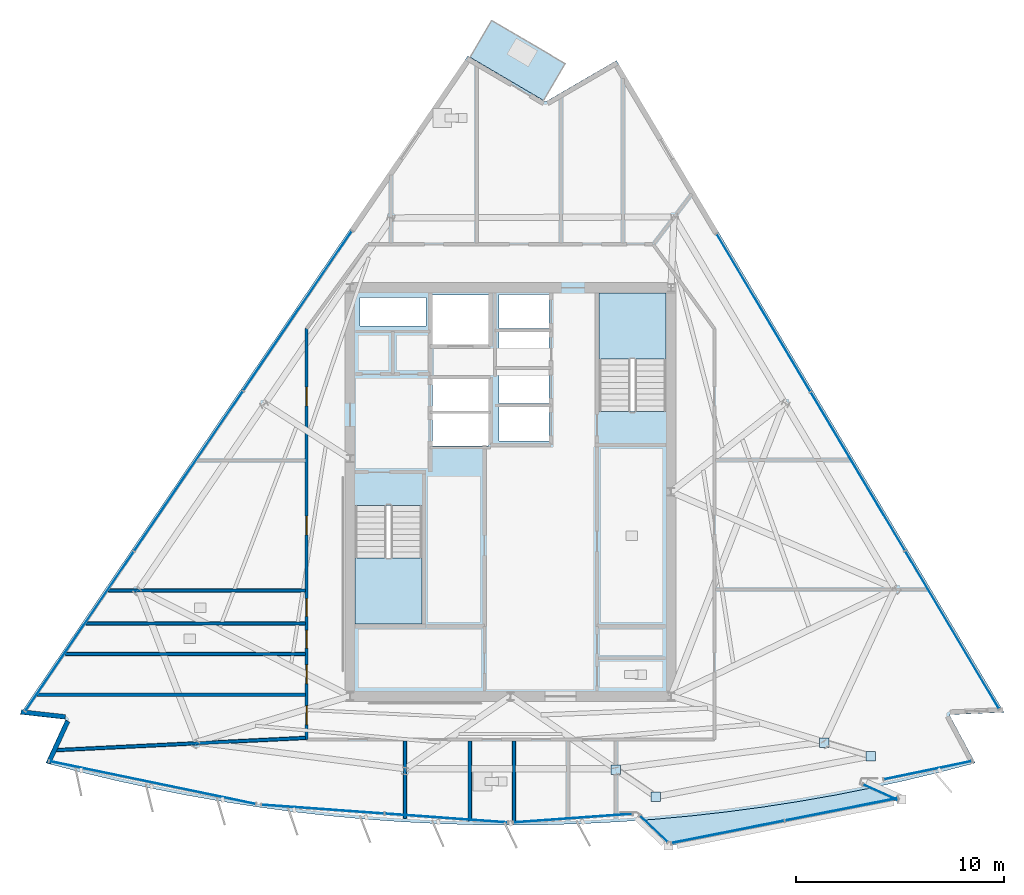
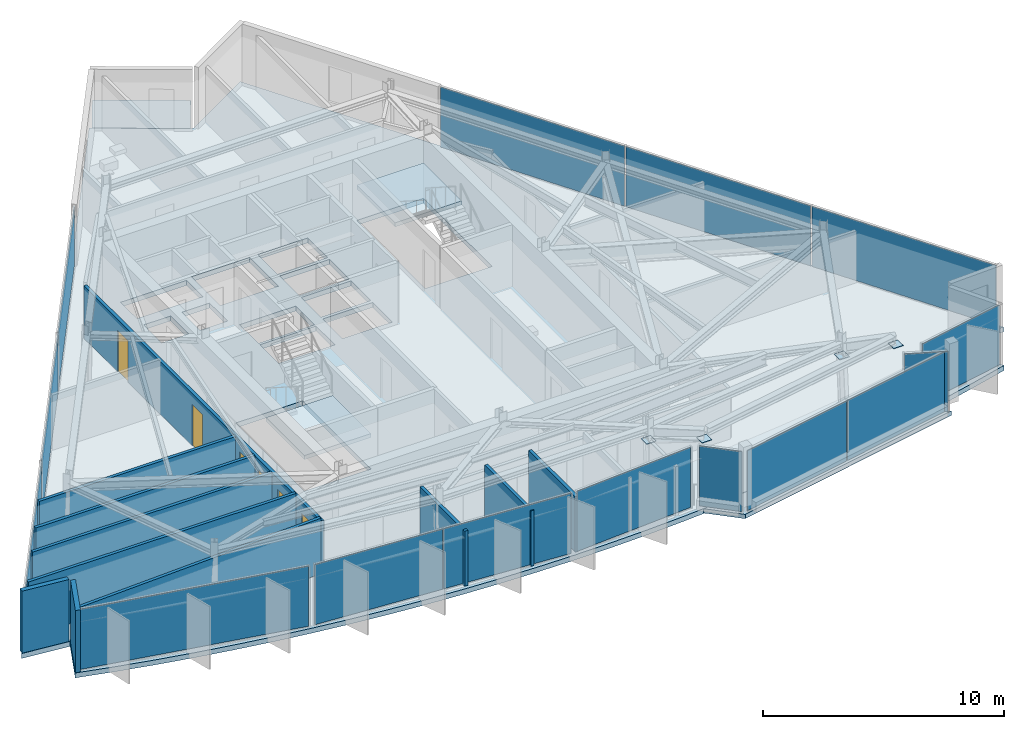
# One storey, part 6 of 13: 19 plates, 11 walls, 6 doors, 5 slabs, 6 openings, 11 elements without a shape of their own.
"""IFC4 building model written with IfcOpenShell, lengths in metres."""

from ifc_helpers import new_model, si_unit, direction, frame, frame_2d, origin, origin_2d, place, context, subcontext, project, spatial, polyline, rectangle, outline, extrude, material, layer, layer_set, type_object, element, fill, aggregate, save


model = new_model("IFC4")

# Units and contexts
model_context = context("Model", 3, precision=1e-05, world=origin(), true_north=direction((0.0, 1.0)))
body_context = subcontext(model_context, "Body", "Model", "MODEL_VIEW")
ifc_project = project(units=[si_unit("LENGTHUNIT", "METRE"), si_unit("AREAUNIT", "SQUARE_METRE"), si_unit("VOLUMEUNIT", "CUBIC_METRE"), si_unit("PLANEANGLEUNIT", "RADIAN"), si_unit("MASSUNIT", "GRAM", prefix="KILO")], contexts=[model_context])

# Site, building, storey
site_placement = place(None, origin())
site = spatial("IfcSite", under=ifc_project, at=site_placement, CompositionType="ELEMENT")
building_placement = place(site_placement, origin())
building = spatial("IfcBuilding", under=site, at=building_placement, Name="Savorim Split Tower", CompositionType="ELEMENT")
storey_placement = place(building_placement, frame((0.0, 0.0, 290.39990234375)))
storey = spatial("IfcBuildingStorey", under=building, at=storey_placement, Name="L77", CompositionType="ELEMENT", Elevation=290.39990234375)

# Curtain wall, plate
ifc_material_1 = material(Name="Dark Ceramic-Fritted Insulated Glass", Category="glass")
curtain_wall_type_1 = type_object("IfcCurtainWallType", Name="CW-TWR-FRIT-B", PredefinedType="NOTDEFINED", material=ifc_material_1)
curtain_wall_1_placement = place(storey_placement, origin())
curtain_wall_1 = element("IfcCurtainWall", 1, at=curtain_wall_1_placement, inside=storey, type_object=curtain_wall_type_1, Name="L77 Curtain Wall CW-L77-SF1A", PredefinedType="NOTDEFINED")
ifc_layer_1 = layer(ifc_material_1, 0.02587890625)
ifc_layer_set_1 = layer_set([ifc_layer_1], Name="CWP-FRITB-26")
plate_type_1 = type_object("IfcPlateType", Name="CWP-FRITB-26", PredefinedType="CURTAIN_PANEL", material=ifc_layer_set_1)
plate_1_placement = place(storey_placement, frame((-17.175537109375, -13.545654296875, 0.05029296875), z_axis=(0.0, 0.0, 1.0), x_axis=(0.979134131762, -0.203215038861, 0.0)))
plate_1 = element("IfcPlate", 2, at=plate_1_placement, type_object=plate_type_1, Name="CW-03 panel 1.1", PredefinedType="CURTAIN_PANEL", context=body_context, shape_type="SweptSolid", body=[
    extrude(rectangle(XDim=10.08544921875, YDim=0.02587890625, at=origin_2d()), origin(), (0.0, 0.0, 1.0), 3.050048828125),
])
aggregate(curtain_wall_1, [plate_1])

# Curtain wall, plates
curtain_wall_2_placement = place(storey_placement, origin())
curtain_wall_2 = element("IfcCurtainWall", 3, at=curtain_wall_2_placement, inside=storey, type_object=curtain_wall_type_1, Name="L77 Curtain Wall CW-L77-SF2A", PredefinedType="NOTDEFINED")
plate_2_placement = place(storey_placement, frame((-9.005859375, -14.822509765625, 0.05029296875), z_axis=(0.0, 0.0, 1.0), x_axis=(0.997436282449, -0.071560201608, 0.0)))
plate_2 = element("IfcPlate", 4, at=plate_2_placement, type_object=plate_type_1, Name="CW-03 panel 1.1", PredefinedType="CURTAIN_PANEL", context=body_context, shape_type="SweptSolid", body=[
    extrude(rectangle(XDim=5.87841796875, YDim=0.02587890625, at=origin_2d()), origin(), (0.0, 0.0, 1.0), 3.050048828125),
])
plate_3_placement = place(storey_placement, frame((-3.082763671875, -15.24755859375, 0.05029296875), z_axis=(0.0, 0.0, 1.0), x_axis=(0.997436282449, -0.071560201608, 0.0)))
plate_3 = element("IfcPlate", 5, at=plate_3_placement, type_object=plate_type_1, Name="CW-03 panel 2.1", PredefinedType="CURTAIN_PANEL", context=body_context, shape_type="SweptSolid", body=[
    extrude(rectangle(XDim=5.87841796875, YDim=0.02587890625, at=origin_2d()), origin(), (0.0, 0.0, 1.0), 3.050048828125),
])
aggregate(curtain_wall_2, [plate_2, plate_3])

# Curtain wall, plate
curtain_wall_3_placement = place(storey_placement, origin())
curtain_wall_3 = element("IfcCurtainWall", 6, at=curtain_wall_3_placement, inside=storey, type_object=curtain_wall_type_1, Name="L77 Curtain Wall CW-L77-SF3A", PredefinedType="NOTDEFINED")
plate_4_placement = place(storey_placement, frame((2.98681640625, -15.25439453125, 0.05029296875), z_axis=(0.0, 0.0, 1.0), x_axis=(0.997436181633, 0.071561606808, 0.0)))
plate_4 = element("IfcPlate", 7, at=plate_4_placement, type_object=plate_type_1, Name="CW-03 panel 1.1", PredefinedType="CURTAIN_PANEL", context=body_context, shape_type="SweptSolid", body=[
    extrude(rectangle(XDim=5.686279296875, YDim=0.02587890625, at=origin_2d()), origin(), (0.0, 0.0, 1.0), 3.050048828125),
])
aggregate(curtain_wall_3, [plate_4])

curtain_wall_4_placement = place(storey_placement, origin())
curtain_wall_4 = element("IfcCurtainWall", 8, at=curtain_wall_4_placement, inside=storey, type_object=curtain_wall_type_1, Name="L77 Curtain Wall CW-L77-SF4A", PredefinedType="NOTDEFINED")
plate_5_placement = place(storey_placement, frame((20.01708984375, -12.9560546875, 0.05029296875), z_axis=(0.0, 0.0, 1.0), x_axis=(0.979133069739, 0.203220155852, 0.0)))
plate_5 = element("IfcPlate", 9, at=plate_5_placement, type_object=plate_type_1, Name="CW-03 panel 1.1", PredefinedType="CURTAIN_PANEL", context=body_context, shape_type="SweptSolid", body=[
    extrude(rectangle(XDim=4.28125, YDim=0.02587890625, at=origin_2d()), origin(), (0.0, 0.0, 1.0), 3.050048828125),
])
aggregate(curtain_wall_4, [plate_5])

# Curtain wall, plates
curtain_wall_5_placement = place(storey_placement, origin())
curtain_wall_5 = element("IfcCurtainWall", 10, at=curtain_wall_5_placement, inside=storey, type_object=curtain_wall_type_1, Name="L77 Curtain Wall CW-L77-EAST", PredefinedType="NOTDEFINED")
plate_6_placement = place(storey_placement, frame((21.18701171875, -6.226318359375, 0.05029296875), z_axis=(0.0, 0.0, 1.0), x_axis=(-0.511091684727, 0.859526200766, 0.0)))
plate_6 = element("IfcPlate", 11, at=plate_6_placement, type_object=plate_type_1, Name="CW-03 panel 1.1", PredefinedType="CURTAIN_PANEL", context=body_context, shape_type="SweptSolid", body=[
    extrude(rectangle(XDim=8.775390625, YDim=0.02587890625, at=origin_2d()), origin(), (0.0, 0.0, 1.0), 3.050048828125),
])
plate_7_placement = place(storey_placement, frame((16.66357421875, 1.380615234375, 0.05029296875), z_axis=(0.0, 0.0, 1.0), x_axis=(-0.511091684727, 0.859526200766, 0.0)))
plate_7 = element("IfcPlate", 12, at=plate_7_placement, type_object=plate_type_1, Name="CW-03 panel 2.1", PredefinedType="CURTAIN_PANEL", context=body_context, shape_type="SweptSolid", body=[
    extrude(rectangle(XDim=8.80517578125, YDim=0.02587890625, at=origin_2d()), origin(), (0.0, 0.0, 1.0), 3.050048828125),
])
plate_8_placement = place(storey_placement, frame((12.140380859375, 8.98779296875, 0.05029296875), z_axis=(0.0, 0.0, 1.0), x_axis=(-0.511091684727, 0.859526200766, 0.0)))
plate_8 = element("IfcPlate", 13, at=plate_8_placement, type_object=plate_type_1, Name="CW-03 panel 3.1", PredefinedType="CURTAIN_PANEL", context=body_context, shape_type="SweptSolid", body=[
    extrude(rectangle(XDim=8.775390625, YDim=0.02587890625, at=origin_2d()), origin(), (0.0, 0.0, 1.0), 3.050048828125),
])
aggregate(curtain_wall_5, [plate_6, plate_7, plate_8])

curtain_wall_6_placement = place(storey_placement, origin())
curtain_wall_6 = element("IfcCurtainWall", 14, at=curtain_wall_6_placement, inside=storey, type_object=curtain_wall_type_1, Name="L77 Curtain Wall CW-L77-WEST", PredefinedType="NOTDEFINED")
plate_9_placement = place(storey_placement, frame((-10.220703125, 9.082275390625, 0.05029296875), z_axis=(0.0, 0.0, 1.0), x_axis=(-0.562470084107, -0.826817636776, 0.0)))
plate_9 = element("IfcPlate", 15, at=plate_9_placement, type_object=plate_type_1, Name="CW-03 panel 1.1", PredefinedType="CURTAIN_PANEL", context=body_context, shape_type="SweptSolid", body=[
    extrude(rectangle(XDim=9.22265625, YDim=0.02587890625, at=origin_2d()), origin(), (0.0, 0.0, 1.0), 3.050048828125),
])
plate_10_placement = place(storey_placement, frame((-15.450439453125, 1.394775390625, 0.05029296875), z_axis=(0.0, 0.0, 1.0), x_axis=(-0.562470084107, -0.826817636776, 0.0)))
plate_10 = element("IfcPlate", 16, at=plate_10_placement, type_object=plate_type_1, Name="CW-03 panel 2.1", PredefinedType="CURTAIN_PANEL", context=body_context, shape_type="SweptSolid", body=[
    extrude(rectangle(XDim=9.252685546875, YDim=0.02587890625, at=origin_2d()), origin(), (0.0, 0.0, 1.0), 3.050048828125),
])
plate_11_placement = place(storey_placement, frame((-20.679931640625, -6.292724609375, 0.05029296875), z_axis=(0.0, 0.0, 1.0), x_axis=(-0.562470084107, -0.826817636776, 0.0)))
plate_11 = element("IfcPlate", 17, at=plate_11_placement, type_object=plate_type_1, Name="CW-03 panel 3.1", PredefinedType="CURTAIN_PANEL", context=body_context, shape_type="SweptSolid", body=[
    extrude(rectangle(XDim=9.22265625, YDim=0.02587890625, at=origin_2d()), origin(), (0.0, 0.0, 1.0), 3.050048828125),
])
aggregate(curtain_wall_6, [plate_9, plate_10, plate_11])

curtain_wall_type_2 = type_object("IfcCurtainWallType", Name="CW-BAY-LOUNGE", PredefinedType="NOTDEFINED", material=ifc_material_1)
curtain_wall_7_placement = place(storey_placement, origin())
curtain_wall_7 = element("IfcCurtainWall", 18, at=curtain_wall_7_placement, inside=storey, type_object=curtain_wall_type_2, Name="L77 Curtain Wall CW-L77-BAYF", PredefinedType="NOTDEFINED")
ifc_material_2 = material(Name="Low-E Operable Double Glazing", Category="glass")
ifc_layer_2 = layer(ifc_material_2, 0.031982421875)
ifc_layer_set_2 = layer_set([ifc_layer_2], Name="CWP-POD-32")
plate_type_2 = type_object("IfcPlateType", Name="CWP-POD-32", PredefinedType="CURTAIN_PANEL", material=ifc_layer_set_2)
plate_12_placement = place(storey_placement, frame((10.43017578125, -15.912109375, 0.05517578125), z_axis=(0.0, 0.0, 1.0), x_axis=(0.980905606927, 0.194484421737, 0.0)))
plate_12 = element("IfcPlate", 19, at=plate_12_placement, type_object=plate_type_2, Name="CW-04 panel 1.1", PredefinedType="CURTAIN_PANEL", context=body_context, shape_type="SweptSolid", body=[
    extrude(rectangle(XDim=5.48388671875, YDim=0.031982421875, at=origin_2d()), origin(), (0.0, 0.0, 1.0), 3.0400390625),
])
plate_13_placement = place(storey_placement, frame((15.873291015625, -14.8330078125, 0.05517578125), z_axis=(0.0, 0.0, 1.0), x_axis=(0.980905606927, 0.194484421737, 0.0)))
plate_13 = element("IfcPlate", 20, at=plate_13_placement, type_object=plate_type_2, Name="CW-04 panel 2.1", PredefinedType="CURTAIN_PANEL", context=body_context, shape_type="SweptSolid", body=[
    extrude(rectangle(XDim=5.48388671875, YDim=0.031982421875, at=origin_2d()), origin(), (0.0, 0.0, 1.0), 3.0400390625),
])
aggregate(curtain_wall_7, [plate_12, plate_13])

# Curtain wall, plate
curtain_wall_8_placement = place(storey_placement, origin())
curtain_wall_8 = element("IfcCurtainWall", 21, at=curtain_wall_8_placement, inside=storey, type_object=curtain_wall_type_2, Name="L77 Curtain Wall CW-L77-BAYW", PredefinedType="NOTDEFINED")
plate_14_placement = place(storey_placement, frame((6.87060546875, -15.77099609375, 0.05517578125), z_axis=(0.0, 0.0, 1.0), x_axis=(0.725947265725, -0.687750367057, 0.0)))
plate_14 = element("IfcPlate", 22, at=plate_14_placement, type_object=plate_type_2, Name="CW-04 panel 1.1", PredefinedType="CURTAIN_PANEL", context=body_context, shape_type="SweptSolid", body=[
    extrude(rectangle(XDim=1.81005859375, YDim=0.031982421875, at=origin_2d()), origin(), (0.0, 0.0, 1.0), 3.0400390625),
])
aggregate(curtain_wall_8, [plate_14])

curtain_wall_9_placement = place(storey_placement, origin())
curtain_wall_9 = element("IfcCurtainWall", 23, at=curtain_wall_9_placement, inside=storey, type_object=curtain_wall_type_2, Name="L77 Curtain Wall CW-L77-BAYE", PredefinedType="NOTDEFINED")
plate_15_placement = place(storey_placement, frame((17.74658203125, -14.01513671875, 0.05517578125), z_axis=(0.0, 0.0, 1.0), x_axis=(-0.912431017812, 0.409230543501, 0.0)))
plate_15 = element("IfcPlate", 24, at=plate_15_placement, type_object=plate_type_2, Name="CW-04 panel 1.1", PredefinedType="CURTAIN_PANEL", context=body_context, shape_type="SweptSolid", body=[
    extrude(rectangle(XDim=1.81005859375, YDim=0.031982421875, at=origin_2d()), origin(), (0.0, 0.0, 1.0), 3.0400390625),
])
aggregate(curtain_wall_9, [plate_15])

# Plates
ifc_material_3 = material(Name="Steel S460", Category="steel")
ifc_layer_3 = layer(ifc_material_3, 0.02490234375)
ifc_layer_set_3 = layer_set([ifc_layer_3], Name="PLT-NODE-CN1")
plate_type_3 = type_object("IfcPlateType", Name="PLT-NODE-CN1", PredefinedType="SHEET", material=ifc_layer_set_3)
for number, where, z_axis, x_axis, name in (
    (25, (5.047607421875, -12.925537109375, 2.437744140625), (0.0, 0.0, 1.0), (1.0, 0.0, 0.0), "L77 Bay Strut Column Gusset Plate 1"),
    (26, (6.97265625, -14.2216796875, 2.607666015625), (0.0, 0.0, 1.0), (1.0, 0.0, 0.0), "L77 Bay Strut Tip Gusset Plate 1"),
    (27, (15.060791015625, -11.639892578125, 2.437744140625), (0.0, 0.0, 1.0), (1.0, 0.0, 0.0), "L77 Bay Strut Column Gusset Plate 2"),
    (28, (17.2880859375, -12.27685546875, 2.607666015625), (0.0, 0.0, 1.0), (1.0, 0.0, 0.0), "L77 Bay Strut Tip Gusset Plate 2"),
):
    element("IfcPlate", number, at=place(storey_placement, frame(where, z_axis=z_axis, x_axis=x_axis)), inside=storey, type_object=plate_type_3, Name=name, PredefinedType="SHEET", context=body_context, shape_type="SweptSolid", body=[
        extrude(rectangle(XDim=0.4599609375, YDim=0.4599609375, at=origin_2d()), origin(), (0.0, 0.0, 1.0), 0.02490234375),
    ])

# Slabs
ifc_material_4 = material(Name="Concrete C50/60", Category="concrete")
ifc_layer_4 = layer(ifc_material_4, 0.219970703125)
ifc_layer_set_4 = layer_set([ifc_layer_4], Name="SLB-BAL-220")
slab_type_1 = type_object("IfcSlabType", Name="SLB-BAL-220", PredefinedType="FLOOR", material=ifc_layer_set_4)
slab_1_placement = place(storey_placement, frame((0.0, 0.0, -0.219970703125)))
element("IfcSlab", 29, at=slab_1_placement, inside=storey, type_object=slab_type_1, Name="L77 Cantilevered Shared Kitchen Lounge Slab", PredefinedType="FLOOR", context=body_context, shape_type="SweptSolid", body=[
    extrude(outline(polyline([(17.44921875, -13.772216796875), (17.232421875, -13.819580078125), (15.52978515625, -14.15478515625), (13.820556640625, -14.455078125), (12.105712890625, -14.720458984375), (10.3857421875, -14.95068359375), (8.66162109375, -15.1455078125), (6.93359375, -15.30517578125), (6.28271484375, -15.351806640625), (7.57861328125, -16.57958984375), (18.763916015625, -14.36181640625), (17.44921875, -13.772216796875)])), origin(), (0.0, 0.0, 1.0), 0.219970703125),
])
slab_2_placement = place(storey_placement, frame((0.0, 0.0, -0.219970703125)))
element("IfcSlab", 30, at=slab_2_placement, inside=storey, type_object=slab_type_1, Name="L77 Notched Corner Planted Tree Balcony Slab", PredefinedType="FLOOR", context=body_context, shape_type="SweptSolid", body=[
    extrude(outline(polyline([(-1.941650390625, 21.25341796875), (1.5869140625, 19.1796875), (2.623046875, 20.94287109375), (-0.905517578125, 23.0166015625), (-1.941650390625, 21.25341796875)])), origin(), (0.0, 0.0, 1.0), 0.219970703125),
])

# Stair, slab
stair_type = type_object("IfcStairType", Name="STR-DOG-3600", PredefinedType="HALF_TURN_STAIR", material=ifc_material_4)
stair_1_placement = place(storey_placement, origin())
stair_1 = element("IfcStair", 31, at=stair_1_placement, inside=storey, type_object=stair_type, Name="L77 Core Protected Exit Stair ST-1", PredefinedType="HALF_TURN_STAIR")
ifc_layer_5 = layer(ifc_material_4, 0.199951171875)
ifc_layer_set_5 = layer_set([ifc_layer_5], Name="SLB-LND-200")
slab_type_2 = type_object("IfcSlabType", Name="SLB-LND-200", PredefinedType="LANDING", material=ifc_layer_set_5)
slab_3_placement = place(storey_placement, frame((0.0, 0.0, 1.60009765625)))
slab_3 = element("IfcSlab", 32, at=slab_3_placement, type_object=slab_type_2, Name="ST-1 landing 1", PredefinedType="LANDING", context=body_context, shape_type="SweptSolid", body=[
    extrude(outline(polyline([(-7.449951171875, -2.77001953125), (-7.449951171875, -5.949951171875), (-4.25, -5.949951171875), (-4.25, -2.77001953125), (-7.449951171875, -2.77001953125)])), origin(), (0.0, 0.0, 1.0), 0.199951171875),
])
aggregate(stair_1, [slab_3])

stair_2_placement = place(storey_placement, origin())
stair_2 = element("IfcStair", 33, at=stair_2_placement, inside=storey, type_object=stair_type, Name="L77 Core Protected Exit Stair ST-2", PredefinedType="HALF_TURN_STAIR")
slab_4_placement = place(storey_placement, frame((0.0, 0.0, 1.60009765625)))
slab_4 = element("IfcSlab", 34, at=slab_4_placement, type_object=slab_type_2, Name="ST-2 landing 1", PredefinedType="LANDING", context=body_context, shape_type="SweptSolid", body=[
    extrude(outline(polyline([(7.449951171875, 6.77001953125), (7.449951171875, 9.949951171875), (4.25, 9.949951171875), (4.25, 6.77001953125), (7.449951171875, 6.77001953125)])), origin(), (0.0, 0.0, 1.0), 0.199951171875),
])
aggregate(stair_2, [slab_4])

# Slab
ifc_layer_6 = layer(ifc_material_4, 0.25)
ifc_layer_set_6 = layer_set([ifc_layer_6], Name="SLB-TWR-250")
slab_type_3 = type_object("IfcSlabType", Name="SLB-TWR-250", PredefinedType="FLOOR", material=ifc_layer_set_6)
slab_5_placement = place(storey_placement, frame((0.0, 0.0, -0.25)))
element("IfcSlab", 35, at=slab_5_placement, inside=storey, type_object=slab_type_3, Name="L77 Structural Floor Slab", PredefinedType="FLOOR", context=body_context, shape_type="SweptSolid", body=[
    extrude(outline(polyline([(-22.2939453125, -12.60595703125), (-20.615234375, -13.045166015625), (-18.927734375, -13.44970703125), (-17.232421875, -13.819580078125), (-15.52978515625, -14.15478515625), (-13.820556640625, -14.455078125), (-12.105712890625, -14.720458984375), (-10.3857421875, -14.95068359375), (-8.66162109375, -15.1455078125), (-6.93359375, -15.30517578125), (-5.20263671875, -15.42919921875), (-3.4697265625, -15.51806640625), (-1.735107421875, -15.5712890625), (0.0, -15.589111328125), (1.735107421875, -15.5712890625), (3.4697265625, -15.51806640625), (5.20263671875, -15.42919921875), (6.93359375, -15.30517578125), (8.66162109375, -15.1455078125), (10.3857421875, -14.95068359375), (12.105712890625, -14.720458984375), (13.820556640625, -14.455078125), (15.52978515625, -14.15478515625), (17.232421875, -13.819580078125), (18.927734375, -13.44970703125), (20.615234375, -13.045166015625), (22.2939453125, -12.60595703125), (21.050537109375, -10.288818359375), (23.67578125, -10.177001953125), (5.08203125, 21.0927734375), (1.687744140625, 19.114501953125), (-2.047607421875, 21.31005859375), (-23.530517578125, -10.269287109375), (-21.333251953125, -10.514892578125), (-22.2939453125, -12.60595703125)]), holes=[polyline([(-7.449951171875, -0.25390625), (-7.449951171875, -5.949951171875), (-4.25, -5.949951171875), (-4.25, -0.25390625), (-7.449951171875, -0.25390625)]), polyline([(7.449951171875, 4.25390625), (7.449951171875, 9.949951171875), (4.25, 9.949951171875), (4.25, 4.25390625), (7.449951171875, 4.25390625)]), polyline([(-0.550048828125, 2.830078125), (1.85009765625, 2.830078125), (1.85009765625, 4.469970703125), (-0.550048828125, 4.469970703125), (-0.550048828125, 2.830078125)]), polyline([(-0.550048828125, 4.6298828125), (1.85009765625, 4.6298828125), (1.85009765625, 6.27001953125), (-0.550048828125, 6.27001953125), (-0.550048828125, 4.6298828125)]), polyline([(-0.550048828125, 6.429931640625), (1.85009765625, 6.429931640625), (1.85009765625, 8.070068359375), (-0.550048828125, 8.070068359375), (-0.550048828125, 6.429931640625)]), polyline([(-0.550048828125, 8.22998046875), (1.85009765625, 8.22998046875), (1.85009765625, 9.8701171875), (-0.550048828125, 9.8701171875), (-0.550048828125, 8.22998046875)]), polyline([(-3.75, 2.60009765625), (-1.050048828125, 2.60009765625), (-1.050048828125, 4.159912109375), (-3.75, 4.159912109375), (-3.75, 2.60009765625)]), polyline([(-3.75, 4.280029296875), (-1.050048828125, 4.280029296875), (-1.050048828125, 5.840087890625), (-3.75, 5.840087890625), (-3.75, 4.280029296875)]), polyline([(-3.75, 7.449951171875), (-0.949951171875, 7.449951171875), (-0.949951171875, 9.85009765625), (-3.75, 9.85009765625), (-3.75, 7.449951171875)]), polyline([(-7.219970703125, 6.320068359375), (-5.919921875, 6.320068359375), (-5.919921875, 7.820068359375), (-7.219970703125, 7.820068359375), (-7.219970703125, 6.320068359375)]), polyline([(-5.3798828125, 6.320068359375), (-4.050048828125, 6.320068359375), (-4.050048828125, 7.820068359375), (-5.3798828125, 7.820068359375), (-5.3798828125, 6.320068359375)]), polyline([(-7.219970703125, 8.360107421875), (-4.050048828125, 8.360107421875), (-4.050048828125, 9.719970703125), (-7.219970703125, 9.719970703125), (-7.219970703125, 8.360107421875)])]), origin(), (0.0, 0.0, 1.0), 0.25),
])

# Walls
ifc_material_5 = material(Name="Precast concrete C40/50", Category="concrete")
ifc_layer_7 = layer(ifc_material_5, 0.219970703125)
ifc_layer_set_7 = layer_set([ifc_layer_7], Name="WAL-EXT-CRN220")
wall_type_1 = type_object("IfcWallType", Name="WAL-EXT-CRN220", PredefinedType="SOLIDWALL", material=ifc_layer_set_7)
wall_1_placement = place(storey_placement, frame((-21.359619140625, -10.39111328125, 0.0), z_axis=(0.0, 0.0, 1.0), x_axis=(-0.993817888275, 0.111022542511, 0.0)))
element("IfcWall", 36, at=wall_1_placement, inside=storey, type_object=wall_type_1, Name="L77 Notched Corner Facade Wall SW1", PredefinedType="SOLIDWALL", context=body_context, shape_type="SweptSolid", body=[
    extrude(rectangle(XDim=2.130859375, YDim=0.219970703125, at=frame_2d((1.0654296875, 0.0))), origin(), (0.0, 0.0, 1.0), 3.150146484375),
])
wall_2_placement = place(storey_placement, frame((-22.168212890625, -12.619873046875, 0.0), z_axis=(0.0, 0.0, 1.0), x_axis=(0.417426589535, 0.908710648308, 0.0)))
element("IfcWall", 37, at=wall_2_placement, inside=storey, type_object=wall_type_1, Name="L77 Notched Corner Facade Wall SW", PredefinedType="SOLIDWALL", context=body_context, shape_type="SweptSolid", body=[
    extrude(rectangle(XDim=2.221435546875, YDim=0.219970703125, at=frame_2d((1.11083984375, 0.0))), origin(), (0.0, 0.0, 1.0), 3.150146484375),
])

# Wall, openings, doors
ifc_material_6 = material(Name="Acoustic Gypsum Partition Board")
ifc_layer_8 = layer(ifc_material_6, 0.14990234375)
ifc_layer_set_8 = layer_set([ifc_layer_8], Name="WAL-PAR-150")
wall_type_2 = type_object("IfcWallType", Name="WAL-PAR-150", PredefinedType="PARTITIONING", material=ifc_layer_set_8)
wall_3_placement = place(storey_placement, frame((-9.780029296875, -11.47998046875, 0.0), z_axis=(0.0, 0.0, 1.0), x_axis=(0.0, 1.0, 0.0)))
wall_3 = element("IfcWall", 38, at=wall_3_placement, inside=storey, type_object=wall_type_2, Name="L77 Partition W-L77-COR-01", PredefinedType="PARTITIONING", context=body_context, shape_type="SweptSolid", body=[
    extrude(rectangle(XDim=19.705810546875, YDim=0.14990234375, at=frame_2d((9.85302734375, 0.0))), origin(), (0.0, 0.0, 1.0), 2.675048828125),
])
opening_1_placement = place(wall_3_placement, frame((9.821533203125, 0.0, 0.0)))
opening_1 = element("IfcOpeningElement", 39, at=opening_1_placement, cuts=wall_3, Name="Opening DI-06", PredefinedType="OPENING", context=body_context, shape_type="SweptSolid", body=[
    extrude(rectangle(XDim=0.89990234375, YDim=2.10009765625, at=frame_2d((0.449951171875, 1.050048828125))), frame((0.0, 0.0849609375, 0.0), z_axis=(0.0, -1.0, 0.0), x_axis=(1.0, 0.0, 0.0)), (0.0, 0.0, 1.0), 0.169921875),
])
opening_2_placement = place(wall_3_placement, frame((5.905029296875, 0.0, 0.0)))
opening_2 = element("IfcOpeningElement", 40, at=opening_2_placement, cuts=wall_3, Name="Opening DI-13", PredefinedType="OPENING", context=body_context, shape_type="SweptSolid", body=[
    extrude(rectangle(XDim=0.85009765625, YDim=2.10009765625, at=frame_2d((0.425048828125, 1.050048828125))), frame((0.0, 0.0849609375, 0.0), z_axis=(0.0, -1.0, 0.0), x_axis=(1.0, 0.0, 0.0)), (0.0, 0.0, 1.0), 0.169921875),
])
opening_3_placement = place(wall_3_placement, frame((4.3837890625, 0.0, 0.0)))
opening_3 = element("IfcOpeningElement", 41, at=opening_3_placement, cuts=wall_3, Name="Opening DI-13", PredefinedType="OPENING", context=body_context, shape_type="SweptSolid", body=[
    extrude(rectangle(XDim=0.85009765625, YDim=2.10009765625, at=frame_2d((0.425048828125, 1.050048828125))), frame((0.0, 0.0849609375, 0.0), z_axis=(0.0, -1.0, 0.0), x_axis=(1.0, 0.0, 0.0)), (0.0, 0.0, 1.0), 0.169921875),
])
opening_4_placement = place(wall_3_placement, frame((2.67822265625, 0.0, 0.0)))
opening_4 = element("IfcOpeningElement", 42, at=opening_4_placement, cuts=wall_3, Name="Opening DI-06", PredefinedType="OPENING", context=body_context, shape_type="SweptSolid", body=[
    extrude(rectangle(XDim=0.89990234375, YDim=2.10009765625, at=frame_2d((0.449951171875, 1.050048828125))), frame((0.0, 0.0849609375, 0.0), z_axis=(0.0, -1.0, 0.0), x_axis=(1.0, 0.0, 0.0)), (0.0, 0.0, 1.0), 0.169921875),
])
opening_5_placement = place(wall_3_placement, frame((0.712646484375, 0.0, 0.0)))
opening_5 = element("IfcOpeningElement", 43, at=opening_5_placement, cuts=wall_3, Name="Opening DI-06", PredefinedType="OPENING", context=body_context, shape_type="SweptSolid", body=[
    extrude(rectangle(XDim=0.89990234375, YDim=2.10009765625, at=frame_2d((0.449951171875, 1.050048828125))), frame((0.0, 0.0849609375, 0.0), z_axis=(0.0, -1.0, 0.0), x_axis=(1.0, 0.0, 0.0)), (0.0, 0.0, 1.0), 0.169921875),
])
opening_6_placement = place(wall_3_placement, frame((16.009033203125, 0.0, 0.0)))
opening_6 = element("IfcOpeningElement", 44, at=opening_6_placement, cuts=wall_3, Name="Opening DI-06", PredefinedType="OPENING", context=body_context, shape_type="SweptSolid", body=[
    extrude(rectangle(XDim=0.89990234375, YDim=2.10009765625, at=frame_2d((0.449951171875, 1.050048828125))), frame((0.0, 0.0849609375, 0.0), z_axis=(0.0, -1.0, 0.0), x_axis=(1.0, 0.0, 0.0)), (0.0, 0.0, 1.0), 0.169921875),
])
ifc_material_7 = material(Name="Timber Fire Door Leaf", Category="wood")
door_type_1 = type_object("IfcDoorType", Name="DOR-FIR-850", OperationType="NOTDEFINED", PredefinedType="DOOR", material=ifc_material_7)
door_1_placement = place(opening_2_placement, origin())
door_1 = element("IfcDoor", 45, at=door_1_placement, inside=storey, type_object=door_type_1, Name="DR-L77-RM02 - L77 Shared Kitchen Entry Door", OperationType="SINGLE_SWING_LEFT", OverallHeight=2.10009765625, OverallWidth=0.85009765625, PredefinedType="DOOR", context=body_context, shape_type="SweptSolid", body=[
    extrude(rectangle(XDim=0.85009765625, YDim=2.10009765625, at=frame_2d((0.425048828125, 1.050048828125))), frame((0.0, 0.02490234375, 0.0), z_axis=(0.0, -1.0, 0.0), x_axis=(1.0, 0.0, 0.0)), (0.0, 0.0, 1.0), 0.050048828125),
])
fill(opening_2, door_1)
door_2_placement = place(opening_3_placement, origin())
door_2 = element("IfcDoor", 46, at=door_2_placement, inside=storey, type_object=door_type_1, Name="DR-L77-RM03 - L77 Community Laundry Room Entry Door", OperationType="SINGLE_SWING_RIGHT", OverallHeight=2.10009765625, OverallWidth=0.85009765625, PredefinedType="DOOR", context=body_context, shape_type="SweptSolid", body=[
    extrude(rectangle(XDim=0.85009765625, YDim=2.10009765625, at=frame_2d((0.425048828125, 1.050048828125))), frame((0.0, 0.02490234375, 0.0), z_axis=(0.0, -1.0, 0.0), x_axis=(1.0, 0.0, 0.0)), (0.0, 0.0, 1.0), 0.050048828125),
])
fill(opening_3, door_2)
door_type_2 = type_object("IfcDoorType", Name="DOR-FIR-900", OperationType="NOTDEFINED", PredefinedType="DOOR", material=ifc_material_7)
door_3_placement = place(opening_1_placement, origin())
door_3 = element("IfcDoor", 47, at=door_3_placement, inside=storey, type_object=door_type_2, Name="DR-L77-RM01 - L77 Communal Lounge Entry Door", OperationType="SINGLE_SWING_RIGHT", OverallHeight=2.10009765625, OverallWidth=0.89990234375, PredefinedType="DOOR", context=body_context, shape_type="SweptSolid", body=[
    extrude(rectangle(XDim=0.89990234375, YDim=2.10009765625, at=frame_2d((0.449951171875, 1.050048828125))), frame((0.0, 0.02490234375, 0.0), z_axis=(0.0, -1.0, 0.0), x_axis=(1.0, 0.0, 0.0)), (0.0, 0.0, 1.0), 0.050048828125),
])
fill(opening_1, door_3)
door_4_placement = place(opening_4_placement, origin())
door_4 = element("IfcDoor", 48, at=door_4_placement, inside=storey, type_object=door_type_2, Name="DR-L77-RM04 - L77 Quiet Study Room Entry Door", OperationType="SINGLE_SWING_LEFT", OverallHeight=2.10009765625, OverallWidth=0.89990234375, PredefinedType="DOOR", context=body_context, shape_type="SweptSolid", body=[
    extrude(rectangle(XDim=0.89990234375, YDim=2.10009765625, at=frame_2d((0.449951171875, 1.050048828125))), frame((0.0, 0.02490234375, 0.0), z_axis=(0.0, -1.0, 0.0), x_axis=(1.0, 0.0, 0.0)), (0.0, 0.0, 1.0), 0.050048828125),
])
fill(opening_4, door_4)
door_5_placement = place(opening_5_placement, origin())
door_5 = element("IfcDoor", 49, at=door_5_placement, inside=storey, type_object=door_type_2, Name="DR-L77-RM05 - L77 Quiet Study Room Entry Door", OperationType="SINGLE_SWING_RIGHT", OverallHeight=2.10009765625, OverallWidth=0.89990234375, PredefinedType="DOOR", context=body_context, shape_type="SweptSolid", body=[
    extrude(rectangle(XDim=0.89990234375, YDim=2.10009765625, at=frame_2d((0.449951171875, 1.050048828125))), frame((0.0, 0.02490234375, 0.0), z_axis=(0.0, -1.0, 0.0), x_axis=(1.0, 0.0, 0.0)), (0.0, 0.0, 1.0), 0.050048828125),
])
fill(opening_5, door_5)
door_6_placement = place(opening_6_placement, origin())
door_6 = element("IfcDoor", 50, at=door_6_placement, inside=storey, type_object=door_type_2, Name="DR-L77-RM18 - L77 Maker Workshop Entry Door", OperationType="SINGLE_SWING_LEFT", OverallHeight=2.10009765625, OverallWidth=0.89990234375, PredefinedType="DOOR", context=body_context, shape_type="SweptSolid", body=[
    extrude(rectangle(XDim=0.89990234375, YDim=2.10009765625, at=frame_2d((0.449951171875, 1.050048828125))), frame((0.0, 0.02490234375, 0.0), z_axis=(0.0, -1.0, 0.0), x_axis=(1.0, 0.0, 0.0)), (0.0, 0.0, 1.0), 0.050048828125),
])
fill(opening_6, door_6)

# Walls
wall_4_placement = place(storey_placement, frame((-9.83984375, -11.404296875, 0.0), z_axis=(0.0, 0.0, 1.0), x_axis=(-0.99879424389, -0.049092345355, 0.0)))
element("IfcWall", 51, at=wall_4_placement, inside=storey, type_object=wall_type_2, Name="L77 Partition W-L77-PRAD01", PredefinedType="PARTITIONING", context=body_context, shape_type="SweptSolid", body=[
    extrude(rectangle(XDim=12.0, YDim=0.14990234375, at=frame_2d((6.0, 0.0))), origin(), (0.0, 0.0, 1.0), 2.815185546875),
])
wall_5_placement = place(storey_placement, frame((-5.05224609375, -11.5400390625, 0.0), z_axis=(0.0, 0.0, 1.0), x_axis=(0.0, -1.0, 0.0)))
element("IfcWall", 52, at=wall_5_placement, inside=storey, type_object=wall_type_2, Name="L77 Partition W-L77-PRAD02", PredefinedType="PARTITIONING", context=body_context, shape_type="SweptSolid", body=[
    extrude(rectangle(XDim=3.726806640625, YDim=0.14990234375, at=frame_2d((1.86328125, 0.0))), origin(), (0.0, 0.0, 1.0), 2.795166015625),
])
wall_6_placement = place(storey_placement, frame((-9.840087890625, -4.32763671875, 0.0), z_axis=(0.0, 0.0, 1.0), x_axis=(-1.0, 0.0, 0.0)))
element("IfcWall", 53, at=wall_6_placement, inside=storey, type_object=wall_type_2, Name="L77 Partition W-L77-PRAD10", PredefinedType="PARTITIONING", context=body_context, shape_type="SweptSolid", body=[
    extrude(rectangle(XDim=9.442626953125, YDim=0.14990234375, at=frame_2d((4.72119140625, 0.0))), origin(), (0.0, 0.0, 1.0), 2.675048828125),
])
wall_7_placement = place(storey_placement, frame((-9.840087890625, -7.37060546875, 0.0), z_axis=(0.0, 0.0, 1.0), x_axis=(-1.0, 0.0, 0.0)))
element("IfcWall", 54, at=wall_7_placement, inside=storey, type_object=wall_type_2, Name="L77 Partition W-L77-SUB01", PredefinedType="PARTITIONING", context=body_context, shape_type="SweptSolid", body=[
    extrude(rectangle(XDim=11.5126953125, YDim=0.14990234375, at=frame_2d((5.75634765625, 0.0))), origin(), (0.0, 0.0, 1.0), 2.675048828125),
])
wall_8_placement = place(storey_placement, frame((0.16259765625, -11.5400390625, 0.0), z_axis=(0.0, 0.0, 1.0), x_axis=(0.0, -1.0, 0.0)))
element("IfcWall", 55, at=wall_8_placement, inside=storey, type_object=wall_type_2, Name="L77 Partition W-L77-SUB02", PredefinedType="PARTITIONING", context=body_context, shape_type="SweptSolid", body=[
    extrude(rectangle(XDim=3.877197265625, YDim=0.14990234375, at=frame_2d((1.9384765625, 0.0))), origin(), (0.0, 0.0, 1.0), 2.815185546875),
])
wall_9_placement = place(storey_placement, frame((-9.840087890625, -5.922119140625, 0.0), z_axis=(0.0, 0.0, 1.0), x_axis=(-1.0, 0.0, 0.0)))
element("IfcWall", 56, at=wall_9_placement, inside=storey, type_object=wall_type_2, Name="L77 Partition W-L77-SUB04", PredefinedType="PARTITIONING", context=body_context, shape_type="SweptSolid", body=[
    extrude(rectangle(XDim=10.527587890625, YDim=0.14990234375, at=frame_2d((5.263671875, 0.0))), origin(), (0.0, 0.0, 1.0), 2.675048828125),
])
wall_10_placement = place(storey_placement, frame((-9.840087890625, -9.3330078125, 0.0), z_axis=(0.0, 0.0, 1.0), x_axis=(-1.0, 0.0, 0.0)))
element("IfcWall", 57, at=wall_10_placement, inside=storey, type_object=wall_type_2, Name="L77 Partition W-L77-SUB05", PredefinedType="PARTITIONING", context=body_context, shape_type="SweptSolid", body=[
    extrude(rectangle(XDim=12.847900390625, YDim=0.14990234375, at=frame_2d((6.423828125, 0.0))), origin(), (0.0, 0.0, 1.0), 2.815185546875),
])
wall_11_placement = place(storey_placement, frame((-1.952392578125, -11.5400390625, 0.0), z_axis=(0.0, 0.0, 1.0), x_axis=(0.0, -1.0, 0.0)))
element("IfcWall", 58, at=wall_11_placement, inside=storey, type_object=wall_type_2, Name="L77 Partition W-L77-SUB06", PredefinedType="PARTITIONING", context=body_context, shape_type="SweptSolid", body=[
    extrude(rectangle(XDim=3.8544921875, YDim=0.14990234375, at=frame_2d((1.92724609375, 0.0))), origin(), (0.0, 0.0, 1.0), 2.815185546875),
])

save(model, "model.ifc")
